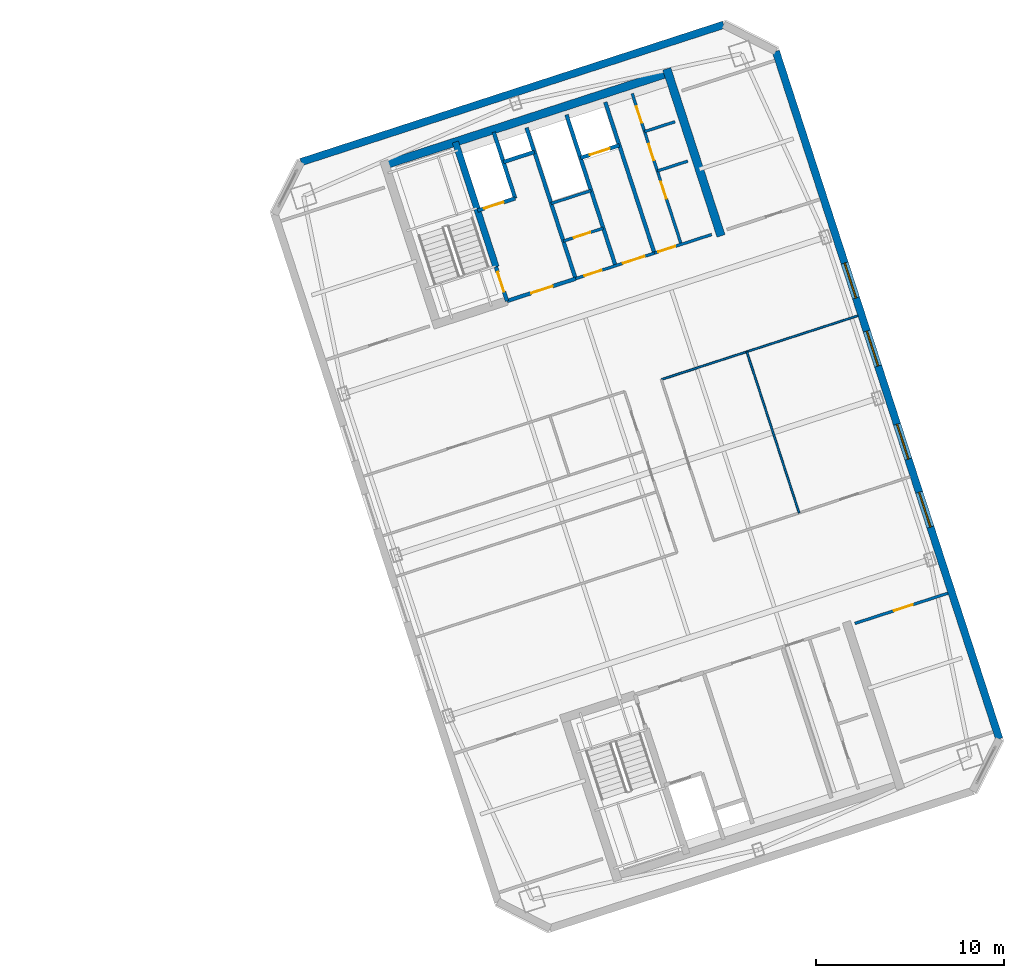
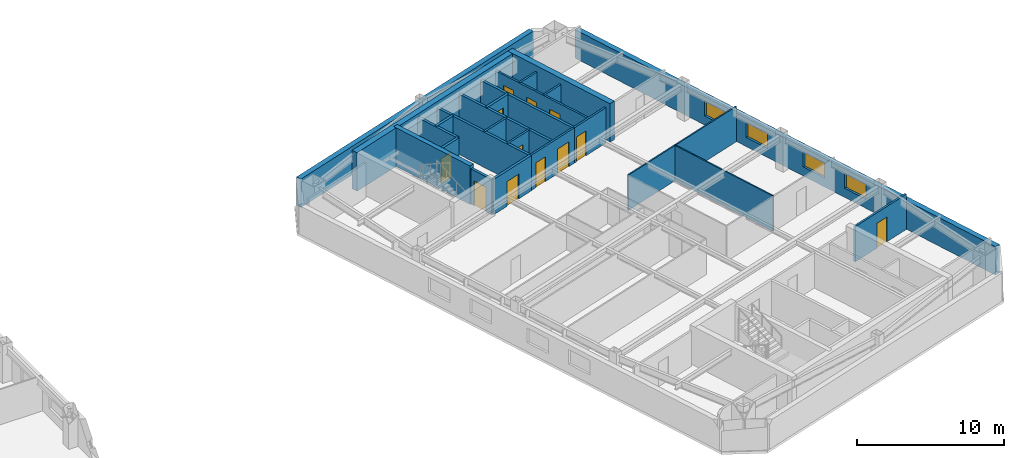
# One storey, part 16 of 20: 24 walls, 12 doors, 4 windows, 16 openings.
"""IFC4 building model written with IfcOpenShell, lengths in metres."""

import ifcopenshell
import ifcopenshell.guid

model = None  # the IFC model being written
_history = None  # IfcOwnerHistory: only IFC2X3 demands one
_inside = {}  # id of a spatial element -> (the spatial element, [elements in it])
_under = {}  # id of a project, library or spatial element -> (it, [spatial elements below it])
_declared = {}  # id of a project -> (the project, [libraries it declares])
_typed = {}  # id of a type object -> (the type object, [elements of that type])
_made_of = {}  # id of a material, layer set ... -> (it, [elements and type objects made of it])


def new_model(schema):
    """Start an empty IFC model of exactly this schema.

    Asked for "IFC4X3", IfcOpenShell would pick the latest addendum, in which some entities
    have other attributes; the version numbers below select the first issue.
    IFC2X3 requires an IfcOwnerHistory on every rooted entity: one is made here for all.
    """
    global model, _history
    if schema == "IFC4X3":
        model = ifcopenshell.file(schema_version=(4, 3, 0, 0))
    else:
        model = ifcopenshell.file(schema=schema)
    _inside.clear()
    _under.clear()
    _declared.clear()
    _typed.clear()
    _made_of.clear()
    _history = None
    if model.schema == "IFC2X3":
        org = make("IfcOrganization", Name="unknown")
        user = make(
            "IfcPersonAndOrganization",
            ThePerson=make("IfcPerson", FamilyName="unknown"),
            TheOrganization=org,
        )
        app = make(
            "IfcApplication",
            ApplicationDeveloper=org,
            Version="unknown",
            ApplicationFullName="unknown",
            ApplicationIdentifier="unknown",
        )
        _history = make(
            "IfcOwnerHistory",
            OwningUser=user,
            OwningApplication=app,
            ChangeAction="ADDED",
            CreationDate=0,
        )
    return model


def make(cls, **values):
    """One entity of the class cls with the attributes given. An attribute that is None is left unset."""
    return model.create_entity(
        cls, **{name: value for name, value in values.items() if value is not None}
    )


def rooted(cls, **values):
    """An entity with a GlobalId (a new one), such as an element, a storey or a relation."""
    return make(cls, GlobalId=ifcopenshell.guid.new(), OwnerHistory=_history, **values)


def si_unit(unit_type, name, prefix=None):
    """IfcSIUnit, for example si_unit("LENGTHUNIT", "METRE", prefix="MILLI")."""
    return make("IfcSIUnit", UnitType=unit_type, Prefix=prefix, Name=name)


def assignment(units):
    """IfcUnitAssignment: the units of a project."""
    return None if units is None else make("IfcUnitAssignment", Units=units)


def point(xyz):
    """IfcCartesianPoint."""
    return None if xyz is None else make("IfcCartesianPoint", Coordinates=xyz)


def direction(xyz):
    """IfcDirection."""
    return None if xyz is None else make("IfcDirection", DirectionRatios=xyz)


def frame(location, z_axis=None, x_axis=None):
    """IfcAxis2Placement3D, a coordinate frame: its origin and axes. An axis left out is left unset."""
    return make(
        "IfcAxis2Placement3D",
        Location=point(location),
        Axis=direction(z_axis),
        RefDirection=direction(x_axis),
    )


def frame_2d(location, x_axis=None):
    """IfcAxis2Placement2D, a coordinate frame in the plane: its origin and x axis."""
    return make(
        "IfcAxis2Placement2D", Location=point(location), RefDirection=direction(x_axis)
    )


def origin():
    """The frame at (0, 0, 0) with its axes left unset."""
    return frame((0.0, 0.0, 0.0))


def place(relative_to, where):
    """IfcLocalPlacement: puts the frame where relative to a parent placement (None: the world)."""
    return make(
        "IfcLocalPlacement", PlacementRelTo=relative_to, RelativePlacement=where
    )


def context(
    kind, dimensions, precision=None, world=None, true_north=None, identifier=None
):
    """IfcGeometricRepresentationContext, for example the 3D "Model" context."""
    return make(
        "IfcGeometricRepresentationContext",
        ContextIdentifier=identifier,
        ContextType=kind,
        CoordinateSpaceDimension=dimensions,
        Precision=precision,
        WorldCoordinateSystem=world,
        TrueNorth=true_north,
    )


def subcontext(parent, identifier, kind, view, scale=None):
    """IfcGeometricRepresentationSubContext, for example "Body" below "Model"."""
    return make(
        "IfcGeometricRepresentationSubContext",
        ContextIdentifier=identifier,
        ContextType=kind,
        ParentContext=parent,
        TargetScale=scale,
        TargetView=view,
    )


def project(units=None, contexts=None):
    """IfcProject with its units and contexts."""
    return rooted(
        "IfcProject",
        Name="project",
        RepresentationContexts=contexts,
        UnitsInContext=assignment(units),
    )


def spatial(cls, under=None, at=None, **own):
    """A site, building, storey or space (cls), placed at a placement, below another one or the project."""
    s = rooted(cls, ObjectPlacement=at, **own)
    if under is not None:
        _under.setdefault(under.id(), (under, []))[1].append(s)
    return s


def profile(cls, at=None, kind="AREA", **sizes):
    """A parametric profile (cls). Its sizes go by their IFC names, for example OverallWidth=200.0."""
    return make(cls, ProfileType=kind, Position=at, **sizes)


def rectangle(**sizes):
    """IfcRectangleProfileDef."""
    return profile("IfcRectangleProfileDef", **sizes)


def extrude(swept, where, along, depth):
    """IfcExtrudedAreaSolid: the profile swept, set in the frame where, extruded along a direction by depth."""
    return make(
        "IfcExtrudedAreaSolid",
        SweptArea=swept,
        Position=where,
        ExtrudedDirection=direction(along),
        Depth=depth,
    )


def shape(context_of_items, identifier, shape_type, items):
    """IfcShapeRepresentation: the items that make up one representation, for example the "Body"."""
    return make(
        "IfcShapeRepresentation",
        ContextOfItems=context_of_items,
        RepresentationIdentifier=identifier,
        RepresentationType=shape_type,
        Items=items,
    )


def material(Name=None, Category=None):
    """IfcMaterial."""
    return make("IfcMaterial", Name=Name, Category=Category)


def layer(
    of_material, thickness, ventilated=None, Name=None, Category=None, Priority=None
):
    """IfcMaterialLayer: one layer of a wall or slab, of a material (None: an air gap)."""
    return make(
        "IfcMaterialLayer",
        Material=of_material,
        LayerThickness=thickness,
        IsVentilated=ventilated,
        Name=Name,
        Category=Category,
        Priority=Priority,
    )


def layer_set(layers, Name=None):
    """IfcMaterialLayerSet."""
    return make("IfcMaterialLayerSet", MaterialLayers=layers, LayerSetName=Name)


def made_of(thing, what):
    """Note that an element or type object is made of a material, layer set ...; save() writes the relation."""
    if what is not None:
        _made_of.setdefault(what.id(), (what, []))[1].append(thing)
    return thing


def type_object(cls, material=None, **own):
    """A type object (cls), such as IfcWallType, which elements share."""
    return made_of(rooted(cls, **own), material)


def element(
    cls,
    number,
    at=None,
    inside=None,
    cuts=None,
    type_object=None,
    material=None,
    context=None,
    identifier="Body",
    shape_type=None,
    held_by="IfcProductDefinitionShape",
    body=None,
    shapes=None,
    **own,
):
    """One element of the class cls, such as IfcWall. Its Tag is "e" and its number.

    at: its placement. inside: the storey or other place that contains it. cuts: it is an
    opening in that element (IfcRelVoidsElement). A single representation is given by context,
    identifier, shape_type and body (its items); several are given by shapes. held_by: the class
    of the entity that holds the representations. save() writes the other relations.
    """
    e = rooted(cls, Tag="e%d" % number, ObjectPlacement=at, **own)
    if body is not None:
        shapes = [shape(context, identifier, shape_type, body)]
    if shapes is not None:
        e.Representation = make(held_by, Representations=shapes)
    if inside is not None:
        _inside.setdefault(inside.id(), (inside, []))[1].append(e)
    if cuts is not None:
        rooted(
            "IfcRelVoidsElement", RelatingBuildingElement=cuts, RelatedOpeningElement=e
        )
    if type_object is not None:
        _typed.setdefault(type_object.id(), (type_object, []))[1].append(e)
    return made_of(e, material)


def fill(opening, filler):
    """IfcRelFillsElement: the door or window that sits in an opening."""
    return rooted(
        "IfcRelFillsElement",
        RelatingOpeningElement=opening,
        RelatedBuildingElement=filler,
    )


def aggregate(whole, parts):
    """IfcRelAggregates: a whole, such as a stair, and the parts it consists of."""
    return rooted("IfcRelAggregates", RelatingObject=whole, RelatedObjects=parts)


def save(model, path):
    """Write the relations noted so far, then the file.

    IfcRelAggregates (storeys below a building ...), IfcRelContainedInSpatialStructure (elements
    in a storey), IfcRelDefinesByType, IfcRelAssociatesMaterial and IfcRelDeclares: one each for
    every whole, place, type object, material and project.
    """
    for whole, parts in _under.values():
        aggregate(whole, parts)
    for where, things in _inside.values():
        rooted(
            "IfcRelContainedInSpatialStructure",
            RelatedElements=things,
            RelatingStructure=where,
        )
    for kind, things in _typed.values():
        rooted("IfcRelDefinesByType", RelatedObjects=things, RelatingType=kind)
    for what, things in _made_of.values():
        rooted("IfcRelAssociatesMaterial", RelatedObjects=things, RelatingMaterial=what)
    for by, libraries in _declared.values():
        rooted("IfcRelDeclares", RelatingContext=by, RelatedDefinitions=libraries)
    model.write(path)


model = new_model("IFC4")

# Units and contexts
model_context = context("Model", 3, precision=1e-05, world=origin(), true_north=direction((0.0, 1.0)))
body_context = subcontext(model_context, "Body", "Model", "MODEL_VIEW")
ifc_project = project(units=[si_unit("LENGTHUNIT", "METRE"), si_unit("AREAUNIT", "SQUARE_METRE"), si_unit("VOLUMEUNIT", "CUBIC_METRE"), si_unit("PLANEANGLEUNIT", "RADIAN"), si_unit("MASSUNIT", "GRAM", prefix="KILO")], contexts=[model_context])

# Site, building, storey
site_placement = place(None, origin())
site = spatial("IfcSite", under=ifc_project, at=site_placement, CompositionType="ELEMENT")
building_placement = place(site_placement, origin())
building = spatial("IfcBuilding", under=site, at=building_placement, Name="Qiaolan Cultural Towers", CompositionType="ELEMENT")
storey_placement = place(building_placement, frame((0.0, 0.0, 244.0)))
storey = spatial("IfcBuildingStorey", under=building, at=storey_placement, Name="L66", CompositionType="ELEMENT", Elevation=244.0)

# Walls
ifc_material_1 = material(Name="Concrete C50", Category="concrete")
ifc_layer_1 = layer(ifc_material_1, 0.35009765625)
ifc_layer_set_1 = layer_set([ifc_layer_1], Name="Concrete C50")
wall_type_1 = type_object("IfcWallType", Name="WL-CORE-350", PredefinedType="SHEAR", material=ifc_layer_set_1)
wall_1_placement = place(storey_placement, frame((82.513671875, 45.13134765625, 0.0), z_axis=(0.0, 0.0, 1.0), x_axis=(-0.308988790936, 0.951065679686, 0.0)))
element("IfcWall", 1, at=wall_1_placement, inside=storey, type_object=wall_type_1, Name="L66 T2-CN Stair Core Dividing Web", PredefinedType="SHEAR", context=body_context, shape_type="SweptSolid", body=[
    extrude(rectangle(XDim=6.97998046875, YDim=0.35009765625, at=frame_2d((3.489990234375, 0.0))), origin(), (0.0, 0.0, 1.0), 3.199951171875),
])
ifc_material_2 = material(Name="Concrete C50", Category="concrete")
ifc_layer_2 = layer(ifc_material_2, 0.449951171875)
ifc_layer_set_2 = layer_set([ifc_layer_2], Name="Concrete C50")
wall_type_2 = type_object("IfcWallType", Name="WL-CORE-450", PredefinedType="SHEAR", material=ifc_layer_set_2)
wall_2_placement = place(storey_placement, frame((76.414794921875, 50.489013671875, 0.0), z_axis=(0.0, 0.0, 1.0), x_axis=(0.951056810414, 0.309016089169, 0.0)))
element("IfcWall", 2, at=wall_2_placement, inside=storey, type_object=wall_type_2, Name="L66 T2-CN Outer Core Shear Wall", PredefinedType="SHEAR", context=body_context, shape_type="SweptSolid", body=[
    extrude(rectangle(XDim=16.25, YDim=0.449951171875, at=frame_2d((8.125, 0.0))), origin(), (0.0, 0.0, 1.0), 3.199951171875),
])
wall_3_placement = place(storey_placement, frame((94.468994140625, 46.781494140625, 0.0), z_axis=(0.0, 0.0, 1.0), x_axis=(-0.309004419953, 0.951060601881, 0.0)))
element("IfcWall", 3, at=wall_3_placement, inside=storey, type_object=wall_type_2, Name="L66 T2-CN East Core Shear Wall", PredefinedType="SHEAR", context=body_context, shape_type="SweptSolid", body=[
    extrude(rectangle(XDim=9.330078125, YDim=0.449951171875, at=frame_2d((4.6650390625, 0.0))), origin(), (0.0, 0.0, 1.0), 3.199951171875),
])
ifc_material_3 = material(Name="Precast Concrete C50 Honed Stone Pier", Category="masonry")
ifc_layer_3 = layer(ifc_material_3, 0.39990234375)
ifc_layer_set_3 = layer_set([ifc_layer_3], Name="Precast Concrete C50 Honed Stone Pier")
wall_type_3 = type_object("IfcWallType", Name="WL-EXT-PIER-400", PredefinedType="SOLIDWALL", material=ifc_layer_set_3)
wall_4_placement = place(storey_placement, frame((72.16455078125, 50.706298828125, 0.0), z_axis=(0.0, 0.0, 1.0), x_axis=(0.951058012937, 0.309012388148, 0.0)))
element("IfcWall", 4, at=wall_4_placement, inside=storey, type_object=wall_type_3, Name="L66 East Tower Precast Pier Facade Wall F3", PredefinedType="SOLIDWALL", context=body_context, shape_type="SweptSolid", body=[
    extrude(rectangle(XDim=23.60009765625, YDim=0.39990234375, at=frame_2d((11.800048828125, 0.0))), origin(), (0.0, 0.0, 1.0), 2.360107421875),
])

# Wall, openings, windows
wall_5_placement = place(storey_placement, frame((97.381591796875, 56.58642578125, 0.0), z_axis=(0.0, 0.0, 1.0), x_axis=(0.309016491071, -0.951056679828, 0.0)))
wall_5 = element("IfcWall", 5, at=wall_5_placement, inside=storey, type_object=wall_type_3, Name="L66 East Tower Precast Pier Facade Wall F5", PredefinedType="SOLIDWALL", context=body_context, shape_type="SweptSolid", body=[
    extrude(rectangle(XDim=38.39990234375, YDim=0.39990234375, at=frame_2d((19.199951171875, 0.0))), origin(), (0.0, 0.0, 1.0), 2.360107421875),
])
opening_1_placement = place(wall_5_placement, frame((24.625, 0.0, 0.75)))
opening_1 = element("IfcOpeningElement", 6, at=opening_1_placement, cuts=wall_5, Name="Opening W-06", PredefinedType="OPENING", context=body_context, shape_type="SweptSolid", body=[
    extrude(rectangle(XDim=1.949951171875, YDim=1.2099609375, at=frame_2d((0.97509765625, 0.60498046875))), frame((0.0, 0.2099609375, 0.0), z_axis=(0.0, -1.0, 0.0), x_axis=(1.0, 0.0, 0.0)), (0.0, 0.0, 1.0), 0.419921875),
])
opening_2_placement = place(wall_5_placement, frame((20.824951171875, 0.0, 0.75)))
opening_2 = element("IfcOpeningElement", 7, at=opening_2_placement, cuts=wall_5, Name="Opening W-06", PredefinedType="OPENING", context=body_context, shape_type="SweptSolid", body=[
    extrude(rectangle(XDim=1.949951171875, YDim=1.2099609375, at=frame_2d((0.97509765625, 0.60498046875))), frame((0.0, 0.2099609375, 0.0), z_axis=(0.0, -1.0, 0.0), x_axis=(1.0, 0.0, 0.0)), (0.0, 0.0, 1.0), 0.419921875),
])
opening_3_placement = place(wall_5_placement, frame((15.625, 0.0, 0.75)))
opening_3 = element("IfcOpeningElement", 8, at=opening_3_placement, cuts=wall_5, Name="Opening W-06", PredefinedType="OPENING", context=body_context, shape_type="SweptSolid", body=[
    extrude(rectangle(XDim=1.949951171875, YDim=1.2099609375, at=frame_2d((0.97509765625, 0.60498046875))), frame((0.0, 0.2099609375, 0.0), z_axis=(0.0, -1.0, 0.0), x_axis=(1.0, 0.0, 0.0)), (0.0, 0.0, 1.0), 0.419921875),
])
opening_4_placement = place(wall_5_placement, frame((11.824951171875, 0.0, 0.75)))
opening_4 = element("IfcOpeningElement", 9, at=opening_4_placement, cuts=wall_5, Name="Opening W-06", PredefinedType="OPENING", context=body_context, shape_type="SweptSolid", body=[
    extrude(rectangle(XDim=1.949951171875, YDim=1.2099609375, at=frame_2d((0.97509765625, 0.60498046875))), frame((0.0, 0.2099609375, 0.0), z_axis=(0.0, -1.0, 0.0), x_axis=(1.0, 0.0, 0.0)), (0.0, 0.0, 1.0), 0.419921875),
])
ifc_material_4 = material(Name="Thermally Broken Aluminium Triple Low-E Glazing", Category="aluminium")
window_type = type_object("IfcWindowType", Name="WN-CHIC-1950", PartitioningType="SINGLE_PANEL", PredefinedType="WINDOW", material=ifc_material_4)
window_1_placement = place(opening_1_placement, origin())
window_1 = element("IfcWindow", 10, at=window_1_placement, inside=storey, type_object=window_type, Name="L66 T2 E Chicago Bay Window 1", OverallHeight=1.2099609375, OverallWidth=1.949951171875, PartitioningType="TRIPLE_PANEL_VERTICAL", PredefinedType="WINDOW", context=body_context, shape_type="SweptSolid", body=[
    extrude(rectangle(XDim=1.949951171875, YDim=1.2099609375, at=frame_2d((0.97509765625, 0.60498046875))), frame((0.0, 0.030029296875, 0.0), z_axis=(0.0, -1.0, 0.0), x_axis=(1.0, 0.0, 0.0)), (0.0, 0.0, 1.0), 0.06005859375),
])
fill(opening_1, window_1)
window_2_placement = place(opening_2_placement, origin())
window_2 = element("IfcWindow", 11, at=window_2_placement, inside=storey, type_object=window_type, Name="L66 T2 E Chicago Bay Window 2", OverallHeight=1.2099609375, OverallWidth=1.949951171875, PartitioningType="TRIPLE_PANEL_VERTICAL", PredefinedType="WINDOW", context=body_context, shape_type="SweptSolid", body=[
    extrude(rectangle(XDim=1.949951171875, YDim=1.2099609375, at=frame_2d((0.97509765625, 0.60498046875))), frame((0.0, 0.030029296875, 0.0), z_axis=(0.0, -1.0, 0.0), x_axis=(1.0, 0.0, 0.0)), (0.0, 0.0, 1.0), 0.06005859375),
])
fill(opening_2, window_2)
window_3_placement = place(opening_3_placement, origin())
window_3 = element("IfcWindow", 12, at=window_3_placement, inside=storey, type_object=window_type, Name="L66 T2 E Chicago Bay Window 3", OverallHeight=1.2099609375, OverallWidth=1.949951171875, PartitioningType="TRIPLE_PANEL_VERTICAL", PredefinedType="WINDOW", context=body_context, shape_type="SweptSolid", body=[
    extrude(rectangle(XDim=1.949951171875, YDim=1.2099609375, at=frame_2d((0.97509765625, 0.60498046875))), frame((0.0, 0.030029296875, 0.0), z_axis=(0.0, -1.0, 0.0), x_axis=(1.0, 0.0, 0.0)), (0.0, 0.0, 1.0), 0.06005859375),
])
fill(opening_3, window_3)
window_4_placement = place(opening_4_placement, origin())
window_4 = element("IfcWindow", 13, at=window_4_placement, inside=storey, type_object=window_type, Name="L66 T2 E Chicago Bay Window 4", OverallHeight=1.2099609375, OverallWidth=1.949951171875, PartitioningType="TRIPLE_PANEL_VERTICAL", PredefinedType="WINDOW", context=body_context, shape_type="SweptSolid", body=[
    extrude(rectangle(XDim=1.949951171875, YDim=1.2099609375, at=frame_2d((0.97509765625, 0.60498046875))), frame((0.0, 0.030029296875, 0.0), z_axis=(0.0, -1.0, 0.0), x_axis=(1.0, 0.0, 0.0)), (0.0, 0.0, 1.0), 0.06005859375),
])
fill(opening_4, window_4)

# Wall, opening, door
ifc_material_5 = material(Name="Concrete C35 Fire Wall", Category="concrete")
ifc_layer_4 = layer(ifc_material_5, 0.199951171875)
ifc_layer_set_4 = layer_set([ifc_layer_4], Name="Concrete C35 Fire Wall")
wall_type_4 = type_object("IfcWallType", Name="WL-FIRE-200", PredefinedType="PARTITIONING", material=ifc_layer_set_4)
wall_6_placement = place(storey_placement, frame((83.100830078125, 43.324462890625, 0.0), z_axis=(0.0, 0.0, 1.0), x_axis=(-0.309048298632, 0.951046344356, 0.0)))
wall_6 = element("IfcWall", 14, at=wall_6_placement, inside=storey, type_object=wall_type_4, Name="L66 T2-CN Smokeproof Stair Entry Wall", PredefinedType="PARTITIONING", context=body_context, shape_type="SweptSolid", body=[
    extrude(rectangle(XDim=1.89990234375, YDim=0.199951171875, at=frame_2d((0.949951171875, 0.0))), origin(), (0.0, 0.0, 1.0), 2.925048828125),
])
opening_5_placement = place(wall_6_placement, frame((0.52001953125, 0.0, 0.0)))
opening_5 = element("IfcOpeningElement", 15, at=opening_5_placement, cuts=wall_6, Name="Opening FD-04", PredefinedType="OPENING", context=body_context, shape_type="SweptSolid", body=[
    extrude(rectangle(XDim=1.10009765625, YDim=2.050048828125, at=frame_2d((0.550048828125, 1.02490234375))), frame((0.0, 0.10986328125, 0.0), z_axis=(0.0, -1.0, 0.0), x_axis=(1.0, 0.0, 0.0)), (0.0, 0.0, 1.0), 0.219970703125),
])
ifc_material_6 = material(Name="Galvanized Steel Command Fire Door", Category="steel")
door_type_1 = type_object("IfcDoorType", Name="DR-FD90-1100", OperationType="NOTDEFINED", PredefinedType="DOOR", material=ifc_material_6)
door_1_placement = place(opening_5_placement, origin())
door_1 = element("IfcDoor", 16, at=door_1_placement, inside=storey, type_object=door_type_1, Name="L66 ST-E2 Smokeproof Stair Fire Door", OperationType="SINGLE_SWING_LEFT", OverallHeight=2.050048828125, OverallWidth=1.10009765625, PredefinedType="DOOR", context=body_context, shape_type="SweptSolid", body=[
    extrude(rectangle(XDim=1.10009765625, YDim=2.050048828125, at=frame_2d((0.550048828125, 1.02490234375))), frame((0.0, 0.02490234375, 0.0), z_axis=(0.0, -1.0, 0.0), x_axis=(1.0, 0.0, 0.0)), (0.0, 0.0, 1.0), 0.050048828125),
])
fill(opening_5, door_1)

# Wall
wall_7_placement = place(storey_placement, frame((86.743408203125, 44.508056640625, 0.0), z_axis=(0.0, 0.0, 1.0), x_axis=(-0.309016001439, 0.951056838919, 0.0)))
element("IfcWall", 17, at=wall_7_placement, inside=storey, type_object=wall_type_4, Name="L66 T2-CN Firefighting Zone Wall", PredefinedType="PARTITIONING", context=body_context, shape_type="SweptSolid", body=[
    extrude(rectangle(XDim=8.429931640625, YDim=0.199951171875, at=frame_2d((4.21484375, 0.0))), origin(), (0.0, 0.0, 1.0), 2.925048828125),
])

# Wall, opening, door
wall_8_placement = place(storey_placement, frame((83.100830078125, 43.324462890625, 0.0), z_axis=(0.0, 0.0, 1.0), x_axis=(0.951052804469, 0.309028417967, 0.0)))
wall_8 = element("IfcWall", 18, at=wall_8_placement, inside=storey, type_object=wall_type_4, Name="L66 T2-CN Firefighting Lobby Front Wall", PredefinedType="PARTITIONING", context=body_context, shape_type="SweptSolid", body=[
    extrude(rectangle(XDim=3.830078125, YDim=0.199951171875, at=frame_2d((1.9150390625, 0.0))), origin(), (0.0, 0.0, 1.0), 2.925048828125),
])
opening_6_placement = place(wall_8_placement, frame((1.35009765625, 0.0, 0.0)))
opening_6 = element("IfcOpeningElement", 19, at=opening_6_placement, cuts=wall_8, Name="Opening FD-03", PredefinedType="OPENING", context=body_context, shape_type="SweptSolid", body=[
    extrude(rectangle(XDim=1.199951171875, YDim=2.050048828125, at=frame_2d((0.60009765625, 1.02490234375))), frame((0.0, 0.10986328125, 0.0), z_axis=(0.0, -1.0, 0.0), x_axis=(1.0, 0.0, 0.0)), (0.0, 0.0, 1.0), 0.219970703125),
])
ifc_material_7 = material(Name="Galvanized Steel Smokeproof Lobby Fire Door", Category="steel")
door_type_2 = type_object("IfcDoorType", Name="DR-FD90-1200", OperationType="NOTDEFINED", PredefinedType="DOOR", material=ifc_material_7)
door_2_placement = place(opening_6_placement, origin())
door_2 = element("IfcDoor", 20, at=door_2_placement, inside=storey, type_object=door_type_2, Name="L66 FFL-E2 Firefighting Lobby Fire Door", OperationType="SINGLE_SWING_LEFT", OverallHeight=2.050048828125, OverallWidth=1.199951171875, PredefinedType="DOOR", context=body_context, shape_type="SweptSolid", body=[
    extrude(rectangle(XDim=1.199951171875, YDim=2.050048828125, at=frame_2d((0.60009765625, 1.02490234375))), frame((0.0, 0.02490234375, 0.0), z_axis=(0.0, -1.0, 0.0), x_axis=(1.0, 0.0, 0.0)), (0.0, 0.0, 1.0), 0.050048828125),
])
fill(opening_6, door_2)

wall_9_placement = place(storey_placement, frame((81.540283203125, 48.127197265625, 0.0), z_axis=(0.0, 0.0, 1.0), x_axis=(0.951062257173, 0.308999325213, 0.0)))
wall_9 = element("IfcWall", 21, at=wall_9_placement, inside=storey, type_object=wall_type_4, Name="L66 T2-CN Firefighting Shaft Front Wall", PredefinedType="PARTITIONING", context=body_context, shape_type="SweptSolid", body=[
    extrude(rectangle(XDim=2.10009765625, YDim=0.199951171875, at=frame_2d((1.050048828125, 0.0))), origin(), (0.0, 0.0, 1.0), 2.925048828125),
])
opening_7_placement = place(wall_9_placement, frame((0.35009765625, 0.0, 0.0)))
opening_7 = element("IfcOpeningElement", 22, at=opening_7_placement, cuts=wall_9, Name="Opening LD-01", PredefinedType="OPENING", context=body_context, shape_type="SweptSolid", body=[
    extrude(rectangle(XDim=1.10009765625, YDim=2.050048828125, at=frame_2d((0.550048828125, 1.02490234375))), frame((0.0, 0.10986328125, 0.0), z_axis=(0.0, -1.0, 0.0), x_axis=(1.0, 0.0, 0.0)), (0.0, 0.0, 1.0), 0.219970703125),
])
ifc_material_8 = material(Name="Brushed Stainless Steel S30408 Centre-Parting Lift Landing Door", Category="steel")
door_type_3 = type_object("IfcDoorType", Name="DR-LIFT-1100", OperationType="NOTDEFINED", PredefinedType="DOOR", material=ifc_material_8)
door_3_placement = place(opening_7_placement, origin())
door_3 = element("IfcDoor", 23, at=door_3_placement, inside=storey, type_object=door_type_3, Name="L66 FFL-E2 Firefighting Lift Landing Door", OperationType="DOUBLE_DOOR_SLIDING", OverallHeight=2.050048828125, OverallWidth=1.10009765625, PredefinedType="DOOR", context=body_context, shape_type="SweptSolid", body=[
    extrude(rectangle(XDim=1.10009765625, YDim=2.050048828125, at=frame_2d((0.550048828125, 1.02490234375))), frame((0.0, 0.02490234375, 0.0), z_axis=(0.0, -1.0, 0.0), x_axis=(1.0, 0.0, 0.0)), (0.0, 0.0, 1.0), 0.050048828125),
])
fill(opening_7, door_3)

# Walls
wall_10_placement = place(storey_placement, frame((83.53759765625, 48.776123046875, 0.0), z_axis=(0.0, 0.0, 1.0), x_axis=(-0.3089935693, 0.951064127245, 0.0)))
element("IfcWall", 24, at=wall_10_placement, inside=storey, type_object=wall_type_4, Name="L66 T2-CN Firefighting Hoistway East Wall", PredefinedType="PARTITIONING", context=body_context, shape_type="SweptSolid", body=[
    extrude(rectangle(XDim=3.7001953125, YDim=0.199951171875, at=frame_2d((1.85009765625, 0.0))), origin(), (0.0, 0.0, 1.0), 2.925048828125),
])
wall_11_placement = place(storey_placement, frame((82.910400390625, 50.706787109375, 0.0), z_axis=(0.0, 0.0, 1.0), x_axis=(0.951041328149, 0.309063734775, 0.0)))
element("IfcWall", 25, at=wall_11_placement, inside=storey, type_object=wall_type_4, Name="L66 T2-CN Pressurization Shaft Front Wall", PredefinedType="PARTITIONING", context=body_context, shape_type="SweptSolid", body=[
    extrude(rectangle(XDim=1.72998046875, YDim=0.199951171875, at=frame_2d((0.864990234375, 0.0))), origin(), (0.0, 0.0, 1.0), 2.925048828125),
])
wall_12_placement = place(storey_placement, frame((90.92822265625, 45.86767578125, 0.0), z_axis=(0.0, 0.0, 1.0), x_axis=(-0.309042196757, 0.951048327176, 0.0)))
element("IfcWall", 26, at=wall_12_placement, inside=storey, type_object=wall_type_4, Name="L66 T2-CN Lift Core East Wall", PredefinedType="PARTITIONING", context=body_context, shape_type="SweptSolid", body=[
    extrude(rectangle(XDim=8.429931640625, YDim=0.199951171875, at=frame_2d((4.21484375, 0.0))), origin(), (0.0, 0.0, 1.0), 2.925048828125),
])
wall_13_placement = place(storey_placement, frame((88.8642578125, 45.197021484375, 0.0), z_axis=(0.0, 0.0, 1.0), x_axis=(-0.309007490203, 0.951059604335, 0.0)))
element("IfcWall", 27, at=wall_13_placement, inside=storey, type_object=wall_type_4, Name="L66 T2-CN Sky Shuttle Lift Zone Wall", PredefinedType="PARTITIONING", context=body_context, shape_type="SweptSolid", body=[
    extrude(rectangle(XDim=8.43017578125, YDim=0.199951171875, at=frame_2d((4.215087890625, 0.0))), origin(), (0.0, 0.0, 1.0), 2.925048828125),
])

# Wall, opening, door
wall_14_placement = place(storey_placement, frame((87.004150390625, 50.92236328125, 0.0), z_axis=(0.0, 0.0, 1.0), x_axis=(0.951041509718, 0.309063176055, 0.0)))
wall_14 = element("IfcWall", 28, at=wall_14_placement, inside=storey, type_object=wall_type_4, Name="L66 T2-CN Shuttle Lift Shaft Front", PredefinedType="PARTITIONING", context=body_context, shape_type="SweptSolid", body=[
    extrude(rectangle(XDim=2.169921875, YDim=0.199951171875, at=frame_2d((1.0849609375, 0.0))), origin(), (0.0, 0.0, 1.0), 2.925048828125),
])
opening_8_placement = place(wall_14_placement, frame((0.52001953125, 0.0, 0.0)))
opening_8 = element("IfcOpeningElement", 29, at=opening_8_placement, cuts=wall_14, Name="Opening LD-01", PredefinedType="OPENING", context=body_context, shape_type="SweptSolid", body=[
    extrude(rectangle(XDim=1.10009765625, YDim=2.050048828125, at=frame_2d((0.550048828125, 1.02490234375))), frame((0.0, 0.10986328125, 0.0), z_axis=(0.0, -1.0, 0.0), x_axis=(1.0, 0.0, 0.0)), (0.0, 0.0, 1.0), 0.219970703125),
])
door_4_placement = place(opening_8_placement, origin())
door_4 = element("IfcDoor", 30, at=door_4_placement, inside=storey, type_object=door_type_3, Name="L66 Sky Shuttle Lift Landing Door", OperationType="DOUBLE_DOOR_SLIDING", OverallHeight=2.050048828125, OverallWidth=1.10009765625, PredefinedType="DOOR", context=body_context, shape_type="SweptSolid", body=[
    extrude(rectangle(XDim=1.10009765625, YDim=2.050048828125, at=frame_2d((0.550048828125, 1.02490234375))), frame((0.0, 0.02490234375, 0.0), z_axis=(0.0, -1.0, 0.0), x_axis=(1.0, 0.0, 0.0)), (0.0, 0.0, 1.0), 0.050048828125),
])
fill(opening_8, door_4)

# Walls
ifc_material_9 = material(Name="Acoustic Double-Glazed Partition Frame", Category="glass")
ifc_layer_5 = layer(ifc_material_9, 0.10009765625)
ifc_layer_set_5 = layer_set([ifc_layer_5], Name="Acoustic Double-Glazed Partition Frame")
wall_type_5 = type_object("IfcWallType", Name="WL-GLAZED-100", PredefinedType="MOVABLE", material=ifc_layer_set_5)
wall_15_placement = place(storey_placement, frame((91.296142578125, 39.15283203125, 0.0), z_axis=(0.0, 0.0, 1.0), x_axis=(0.951058423821, 0.309011123554, 0.0)))
element("IfcWall", 31, at=wall_15_placement, inside=storey, type_object=wall_type_5, Name="L66 T2 North Foyer East Wall", PredefinedType="MOVABLE", context=body_context, shape_type="SweptSolid", body=[
    extrude(rectangle(XDim=10.974853515625, YDim=0.10009765625, at=frame_2d((5.4873046875, 0.0))), origin(), (0.0, 0.0, 1.0), 2.925048828125),
])
wall_16_placement = place(storey_placement, frame((98.61865234375, 32.06884765625, 0.0), z_axis=(0.0, 0.0, 1.0), x_axis=(-0.309032706929, 0.951051410833, 0.0)))
element("IfcWall", 32, at=wall_16_placement, inside=storey, type_object=wall_type_5, Name="L66 T2 Interior Wall", PredefinedType="MOVABLE", context=body_context, shape_type="SweptSolid", body=[
    extrude(rectangle(XDim=8.999755859375, YDim=0.10009765625, at=frame_2d((4.5, 0.0))), origin(), (0.0, 0.0, 1.0), 2.925048828125),
])

# Wall, openings, doors
ifc_material_10 = material(Name="Autoclaved Aerated Concrete Block B06", Category="concrete")
ifc_layer_6 = layer(ifc_material_10, 0.14990234375)
ifc_layer_set_6 = layer_set([ifc_layer_6], Name="Autoclaved Aerated Concrete Block B06")
wall_type_6 = type_object("IfcWallType", Name="WL-PART-150", PredefinedType="PARTITIONING", material=ifc_layer_set_6)
wall_17_placement = place(storey_placement, frame((86.743408203125, 44.508056640625, 0.0), z_axis=(0.0, 0.0, 1.0), x_axis=(0.951063829732, 0.308994485023, 0.0)))
wall_17 = element("IfcWall", 33, at=wall_17_placement, inside=storey, type_object=wall_type_6, Name="L66 T2-CN High-Zone Lift Lobby Wall", PredefinedType="PARTITIONING", context=body_context, shape_type="SweptSolid", body=[
    extrude(rectangle(XDim=4.400146484375, YDim=0.14990234375, at=frame_2d((2.2001953125, 0.0))), origin(), (0.0, 0.0, 1.0), 2.925048828125),
])
opening_9_placement = place(wall_17_placement, frame((0.5, 0.0, 0.0)))
opening_9 = element("IfcOpeningElement", 34, at=opening_9_placement, cuts=wall_17, Name="Opening ID-05", PredefinedType="OPENING", context=body_context, shape_type="SweptSolid", body=[
    extrude(rectangle(XDim=0.949951171875, YDim=2.050048828125, at=frame_2d((0.47509765625, 1.02490234375))), frame((0.0, 0.0849609375, 0.0), z_axis=(0.0, -1.0, 0.0), x_axis=(1.0, 0.0, 0.0)), (0.0, 0.0, 1.0), 0.169921875),
])
opening_10_placement = place(wall_17_placement, frame((2.64990234375, 0.0, 0.0)))
opening_10 = element("IfcOpeningElement", 35, at=opening_10_placement, cuts=wall_17, Name="Opening FD-06", PredefinedType="OPENING", context=body_context, shape_type="SweptSolid", body=[
    extrude(rectangle(XDim=1.199951171875, YDim=2.050048828125, at=frame_2d((0.60009765625, 1.02490234375))), frame((0.0, 0.0849609375, 0.0), z_axis=(0.0, -1.0, 0.0), x_axis=(1.0, 0.0, 0.0)), (0.0, 0.0, 1.0), 0.169921875),
])
ifc_material_11 = material(Name="Painted Steel Plant Fire Door", Category="steel")
door_type_4 = type_object("IfcDoorType", Name="DR-FD60-1200", OperationType="NOTDEFINED", PredefinedType="DOOR", material=ifc_material_11)
door_5_placement = place(opening_10_placement, origin())
door_5 = element("IfcDoor", 36, at=door_5_placement, inside=storey, type_object=door_type_4, Name="L66 Sky Shuttle Lift Lobby Door", OperationType="SINGLE_SWING_RIGHT", OverallHeight=2.050048828125, OverallWidth=1.199951171875, PredefinedType="DOOR", context=body_context, shape_type="SweptSolid", body=[
    extrude(rectangle(XDim=1.199951171875, YDim=2.050048828125, at=frame_2d((0.60009765625, 1.02490234375))), frame((0.0, 0.02490234375, 0.0), z_axis=(0.0, -1.0, 0.0), x_axis=(1.0, 0.0, 0.0)), (0.0, 0.0, 1.0), 0.050048828125),
])
fill(opening_10, door_5)
ifc_material_12 = material(Name="Fire-Rated Laminate Accessible Core Door", Category="timber")
door_type_5 = type_object("IfcDoorType", Name="DR-INT-950", OperationType="NOTDEFINED", PredefinedType="DOOR", material=ifc_material_12)
door_6_placement = place(opening_9_placement, origin())
door_6 = element("IfcDoor", 37, at=door_6_placement, inside=storey, type_object=door_type_5, Name="L66 Reclaimed Server Room Door", OperationType="SINGLE_SWING_LEFT", OverallHeight=2.050048828125, OverallWidth=0.949951171875, PredefinedType="DOOR", context=body_context, shape_type="SweptSolid", body=[
    extrude(rectangle(XDim=0.949951171875, YDim=2.050048828125, at=frame_2d((0.47509765625, 1.02490234375))), frame((0.0, 0.02490234375, 0.0), z_axis=(0.0, -1.0, 0.0), x_axis=(1.0, 0.0, 0.0)), (0.0, 0.0, 1.0), 0.050048828125),
])
fill(opening_9, door_6)

# Wall
wall_18_placement = place(storey_placement, frame((85.445556640625, 48.50244140625, 0.0), z_axis=(0.0, 0.0, 1.0), x_axis=(0.951075093106, 0.308959814982, 0.0)))
element("IfcWall", 38, at=wall_18_placement, inside=storey, type_object=wall_type_6, Name="L66 T2-CN High-Zone Smoke Shaft Split", PredefinedType="PARTITIONING", context=body_context, shape_type="SweptSolid", body=[
    extrude(rectangle(XDim=2.22998046875, YDim=0.14990234375, at=frame_2d((1.114990234375, 0.0))), origin(), (0.0, 0.0, 1.0), 2.925048828125),
])

# Wall, opening, door
wall_19_placement = place(storey_placement, frame((86.094482421875, 46.505126953125, 0.0), z_axis=(0.0, 0.0, 1.0), x_axis=(0.951042918244, 0.309058841741, 0.0)))
wall_19 = element("IfcWall", 39, at=wall_19_placement, inside=storey, type_object=wall_type_6, Name="L66 T2-CN High-Zone Archive Suite Partition", PredefinedType="PARTITIONING", context=body_context, shape_type="SweptSolid", body=[
    extrude(rectangle(XDim=2.22998046875, YDim=0.14990234375, at=frame_2d((1.114990234375, 0.0))), origin(), (0.0, 0.0, 1.0), 2.925048828125),
])
opening_11_placement = place(wall_19_placement, frame((0.60009765625, 0.0, 0.0)))
opening_11 = element("IfcOpeningElement", 40, at=opening_11_placement, cuts=wall_19, Name="Opening ID-06", PredefinedType="OPENING", context=body_context, shape_type="SweptSolid", body=[
    extrude(rectangle(XDim=0.89990234375, YDim=2.050048828125, at=frame_2d((0.449951171875, 1.02490234375))), frame((0.0, 0.0849609375, 0.0), z_axis=(0.0, -1.0, 0.0), x_axis=(1.0, 0.0, 0.0)), (0.0, 0.0, 1.0), 0.169921875),
])
ifc_material_13 = material(Name="Fire-Rated Laminate Core Service Door", Category="timber")
door_type_6 = type_object("IfcDoorType", Name="DR-INT-900", OperationType="NOTDEFINED", PredefinedType="DOOR", material=ifc_material_13)
door_7_placement = place(opening_11_placement, origin())
door_7 = element("IfcDoor", 41, at=door_7_placement, inside=storey, type_object=door_type_6, Name="L66 Archive Vault Inner Door", OperationType="SINGLE_SWING_LEFT", OverallHeight=2.050048828125, OverallWidth=0.89990234375, PredefinedType="DOOR", context=body_context, shape_type="SweptSolid", body=[
    extrude(rectangle(XDim=0.89990234375, YDim=2.050048828125, at=frame_2d((0.449951171875, 1.02490234375))), frame((0.0, 0.02490234375, 0.0), z_axis=(0.0, -1.0, 0.0), x_axis=(1.0, 0.0, 0.0)), (0.0, 0.0, 1.0), 0.050048828125),
])
fill(opening_11, door_7)

wall_20_placement = place(storey_placement, frame((90.92822265625, 45.86767578125, 0.0), z_axis=(0.0, 0.0, 1.0), x_axis=(0.951059297078, 0.309008435874, 0.0)))
wall_20 = element("IfcWall", 42, at=wall_20_placement, inside=storey, type_object=wall_type_6, Name="L66 T2-CN Sanitary Core Front Wall", PredefinedType="PARTITIONING", context=body_context, shape_type="SweptSolid", body=[
    extrude(rectangle(XDim=3.19970703125, YDim=0.14990234375, at=frame_2d((1.599853515625, 0.0))), origin(), (0.0, 0.0, 1.0), 2.925048828125),
])
opening_12_placement = place(wall_20_placement, frame((0.219970703125, 0.0, 0.0)))
opening_12 = element("IfcOpeningElement", 43, at=opening_12_placement, cuts=wall_20, Name="Opening ID-05", PredefinedType="OPENING", context=body_context, shape_type="SweptSolid", body=[
    extrude(rectangle(XDim=0.949951171875, YDim=2.050048828125, at=frame_2d((0.47509765625, 1.02490234375))), frame((0.0, 0.0849609375, 0.0), z_axis=(0.0, -1.0, 0.0), x_axis=(1.0, 0.0, 0.0)), (0.0, 0.0, 1.0), 0.169921875),
])
door_8_placement = place(opening_12_placement, origin())
door_8 = element("IfcDoor", 44, at=door_8_placement, inside=storey, type_object=door_type_5, Name="L66 Sanitary Vestibule Door", OperationType="SINGLE_SWING_LEFT", OverallHeight=2.050048828125, OverallWidth=0.949951171875, PredefinedType="DOOR", context=body_context, shape_type="SweptSolid", body=[
    extrude(rectangle(XDim=0.949951171875, YDim=2.050048828125, at=frame_2d((0.47509765625, 1.02490234375))), frame((0.0, 0.02490234375, 0.0), z_axis=(0.0, -1.0, 0.0), x_axis=(1.0, 0.0, 0.0)), (0.0, 0.0, 1.0), 0.050048828125),
])
fill(opening_12, door_8)

# Wall, openings, doors
wall_21_placement = place(storey_placement, frame((92.354736328125, 46.3310546875, 0.0), z_axis=(0.0, 0.0, 1.0), x_axis=(-0.309007490203, 0.951059604335, 0.0)))
wall_21 = element("IfcWall", 45, at=wall_21_placement, inside=storey, type_object=wall_type_6, Name="L66 T2-CN Sanitary Vestibule Wall", PredefinedType="PARTITIONING", context=body_context, shape_type="SweptSolid", body=[
    extrude(rectangle(XDim=8.43017578125, YDim=0.14990234375, at=frame_2d((4.215087890625, 0.0))), origin(), (0.0, 0.0, 1.0), 2.925048828125),
])
opening_13_placement = place(wall_21_placement, frame((2.550048828125, 0.0, 0.0)))
opening_13 = element("IfcOpeningElement", 46, at=opening_13_placement, cuts=wall_21, Name="Opening ID-05", PredefinedType="OPENING", context=body_context, shape_type="SweptSolid", body=[
    extrude(rectangle(XDim=0.949951171875, YDim=2.050048828125, at=frame_2d((0.47509765625, 1.02490234375))), frame((0.0, 0.0849609375, 0.0), z_axis=(0.0, -1.0, 0.0), x_axis=(1.0, 0.0, 0.0)), (0.0, 0.0, 1.0), 0.169921875),
])
opening_14_placement = place(wall_21_placement, frame((4.699951171875, 0.0, 0.0)))
opening_14 = element("IfcOpeningElement", 47, at=opening_14_placement, cuts=wall_21, Name="Opening ID-06", PredefinedType="OPENING", context=body_context, shape_type="SweptSolid", body=[
    extrude(rectangle(XDim=0.89990234375, YDim=2.050048828125, at=frame_2d((0.449951171875, 1.02490234375))), frame((0.0, 0.0849609375, 0.0), z_axis=(0.0, -1.0, 0.0), x_axis=(1.0, 0.0, 0.0)), (0.0, 0.0, 1.0), 0.169921875),
])
opening_15_placement = place(wall_21_placement, frame((6.800048828125, 0.0, 0.0)))
opening_15 = element("IfcOpeningElement", 48, at=opening_15_placement, cuts=wall_21, Name="Opening ID-06", PredefinedType="OPENING", context=body_context, shape_type="SweptSolid", body=[
    extrude(rectangle(XDim=0.89990234375, YDim=2.050048828125, at=frame_2d((0.449951171875, 1.02490234375))), frame((0.0, 0.0849609375, 0.0), z_axis=(0.0, -1.0, 0.0), x_axis=(1.0, 0.0, 0.0)), (0.0, 0.0, 1.0), 0.169921875),
])
door_9_placement = place(opening_14_placement, origin())
door_9 = element("IfcDoor", 49, at=door_9_placement, inside=storey, type_object=door_type_6, Name="L66 Men Washroom Door", OperationType="SINGLE_SWING_LEFT", OverallHeight=2.050048828125, OverallWidth=0.89990234375, PredefinedType="DOOR", context=body_context, shape_type="SweptSolid", body=[
    extrude(rectangle(XDim=0.89990234375, YDim=2.050048828125, at=frame_2d((0.449951171875, 1.02490234375))), frame((0.0, 0.02490234375, 0.0), z_axis=(0.0, -1.0, 0.0), x_axis=(1.0, 0.0, 0.0)), (0.0, 0.0, 1.0), 0.050048828125),
])
fill(opening_14, door_9)
door_10_placement = place(opening_15_placement, origin())
door_10 = element("IfcDoor", 50, at=door_10_placement, inside=storey, type_object=door_type_6, Name="L66 Women Washroom Door", OperationType="SINGLE_SWING_RIGHT", OverallHeight=2.050048828125, OverallWidth=0.89990234375, PredefinedType="DOOR", context=body_context, shape_type="SweptSolid", body=[
    extrude(rectangle(XDim=0.89990234375, YDim=2.050048828125, at=frame_2d((0.449951171875, 1.02490234375))), frame((0.0, 0.02490234375, 0.0), z_axis=(0.0, -1.0, 0.0), x_axis=(1.0, 0.0, 0.0)), (0.0, 0.0, 1.0), 0.050048828125),
])
fill(opening_15, door_10)
door_11_placement = place(opening_13_placement, origin())
door_11 = element("IfcDoor", 51, at=door_11_placement, inside=storey, type_object=door_type_5, Name="L66 Accessible Family Washroom Door", OperationType="SINGLE_SWING_LEFT", OverallHeight=2.050048828125, OverallWidth=0.949951171875, PredefinedType="DOOR", context=body_context, shape_type="SweptSolid", body=[
    extrude(rectangle(XDim=0.949951171875, YDim=2.050048828125, at=frame_2d((0.47509765625, 1.02490234375))), frame((0.0, 0.02490234375, 0.0), z_axis=(0.0, -1.0, 0.0), x_axis=(1.0, 0.0, 0.0)), (0.0, 0.0, 1.0), 0.050048828125),
])
fill(opening_13, door_11)

# Walls
wall_22_placement = place(storey_placement, frame((91.087646484375, 50.23046875, 0.0), z_axis=(0.0, 0.0, 1.0), x_axis=(0.951054116971, 0.309024378638, 0.0)))
element("IfcWall", 52, at=wall_22_placement, inside=storey, type_object=wall_type_6, Name="L66 T2-CN Restroom Split Wall 1", PredefinedType="PARTITIONING", context=body_context, shape_type="SweptSolid", body=[
    extrude(rectangle(XDim=1.7001953125, YDim=0.14990234375, at=frame_2d((0.85009765625, 0.0))), origin(), (0.0, 0.0, 1.0), 2.925048828125),
])
wall_23_placement = place(storey_placement, frame((90.407958984375, 52.32275390625, 0.0), z_axis=(0.0, 0.0, 1.0), x_axis=(0.951040401051, 0.309066587596, 0.0)))
element("IfcWall", 53, at=wall_23_placement, inside=storey, type_object=wall_type_6, Name="L66 T2-CN Restroom Split Wall 2", PredefinedType="PARTITIONING", context=body_context, shape_type="SweptSolid", body=[
    extrude(rectangle(XDim=1.699951171875, YDim=0.14990234375, at=frame_2d((0.85009765625, 0.0))), origin(), (0.0, 0.0, 1.0), 2.925048828125),
])

# Wall, opening, door
wall_24_placement = place(storey_placement, frame((101.578369140625, 26.196044921875, 0.0), z_axis=(0.0, 0.0, 1.0), x_axis=(0.951064427824, 0.308992644131, 0.0)))
wall_24 = element("IfcWall", 54, at=wall_24_placement, inside=storey, type_object=wall_type_6, Name="L66 T2 Flank Front FLK-SE", PredefinedType="PARTITIONING", context=body_context, shape_type="SweptSolid", body=[
    extrude(rectangle(XDim=5.19970703125, YDim=0.14990234375, at=frame_2d((2.599853515625, 0.0))), origin(), (0.0, 0.0, 1.0), 2.925048828125),
])
opening_16_placement = place(wall_24_placement, frame((2.18408203125, 0.0, 0.0)))
opening_16 = element("IfcOpeningElement", 55, at=opening_16_placement, cuts=wall_24, Name="Opening ID-07", PredefinedType="OPENING", context=body_context, shape_type="SweptSolid", body=[
    extrude(rectangle(XDim=1.050048828125, YDim=2.050048828125, at=frame_2d((0.52490234375, 1.02490234375))), frame((0.0, 0.0849609375, 0.0), z_axis=(0.0, -1.0, 0.0), x_axis=(1.0, 0.0, 0.0)), (0.0, 0.0, 1.0), 0.169921875),
])
ifc_material_14 = material(Name="Oak Veneer Consultation Door", Category="timber")
door_type_7 = type_object("IfcDoorType", Name="DR-INT-1050", OperationType="NOTDEFINED", PredefinedType="DOOR", material=ifc_material_14)
door_12_placement = place(opening_16_placement, origin())
door_12 = element("IfcDoor", 56, at=door_12_placement, inside=storey, type_object=door_type_7, Name="L66 T2 Corner Studio Door", OperationType="SINGLE_SWING_LEFT", OverallHeight=2.050048828125, OverallWidth=1.050048828125, PredefinedType="DOOR", context=body_context, shape_type="SweptSolid", body=[
    extrude(rectangle(XDim=1.050048828125, YDim=2.050048828125, at=frame_2d((0.52490234375, 1.02490234375))), frame((0.0, 0.02490234375, 0.0), z_axis=(0.0, -1.0, 0.0), x_axis=(1.0, 0.0, 0.0)), (0.0, 0.0, 1.0), 0.050048828125),
])
fill(opening_16, door_12)

save(model, "model.ifc")
